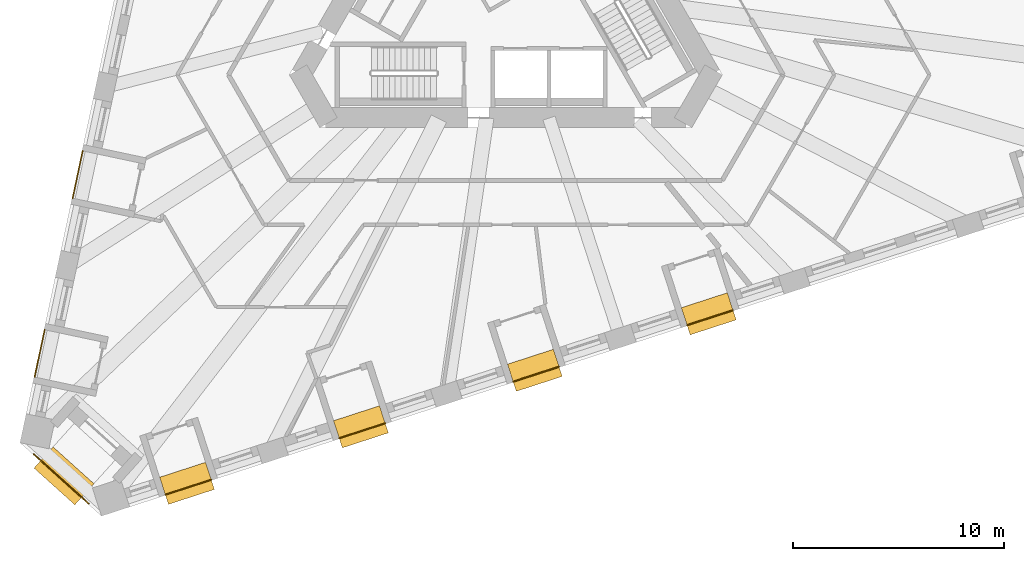
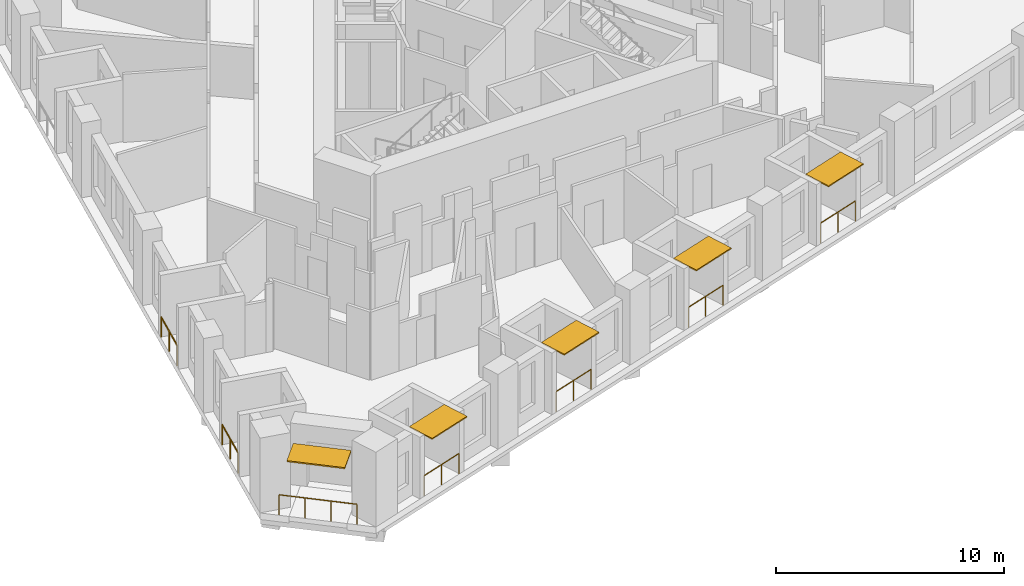
# One storey, part 11 of 13: 7 railings, 5 shading devices.
"""IFC4 building model written with IfcOpenShell, lengths in metres."""

from ifc_helpers import new_model, si_unit, direction, frame, origin, origin_2d, place, context, subcontext, project, spatial, rectangle, circle, extrude, material, layer, layer_set, type_object, element, save


model = new_model("IFC4")

# Units and contexts
model_context = context("Model", 3, precision=1e-05, world=origin(), true_north=direction((0.0, 1.0)))
body_context = subcontext(model_context, "Body", "Model", "MODEL_VIEW")
ifc_project = project(units=[si_unit("LENGTHUNIT", "METRE"), si_unit("AREAUNIT", "SQUARE_METRE"), si_unit("VOLUMEUNIT", "CUBIC_METRE"), si_unit("PLANEANGLEUNIT", "RADIAN"), si_unit("MASSUNIT", "GRAM", prefix="KILO")], contexts=[model_context])

# Site, building, storey
site_placement = place(None, origin())
site = spatial("IfcSite", under=ifc_project, at=site_placement, CompositionType="ELEMENT")
building_placement = place(site_placement, origin())
building = spatial("IfcBuilding", under=site, at=building_placement, Name="Tramontana Tower", CompositionType="ELEMENT")
storey_placement = place(building_placement, frame((0.0, 0.0, 112.39990234375)))
storey = spatial("IfcBuildingStorey", under=building, at=storey_placement, Name="L25", CompositionType="ELEMENT", Elevation=112.39990234375)

# Railings
ifc_material_1 = material(Name="Laminated glass balustrade", Category="glass")
railing_type = type_object("IfcRailingType", Name="GD1 Loggia glass balustrade 1100", PredefinedType="BALUSTRADE", material=ifc_material_1)
railing_1_placement = place(storey_placement, frame((-20.04052734375, -7.85205078125, 0.0)))
element("IfcRailing", 1, at=railing_1_placement, inside=storey, type_object=railing_type, Name="Loggia balustrade L25 G2S0.13", PredefinedType="BALUSTRADE", context=body_context, shape_type="SweptSolid", body=[
    extrude(circle(Radius=0.02392578125, at=origin_2d()), frame((0.0, 0.0, 1.076171875), z_axis=(-0.207888126836, -0.978152609116, 0.0), x_axis=(0.978152609116, -0.207888126836, 0.0)), (0.0, 0.0, 1.0), 2.28662109375),
    extrude(circle(Radius=0.02099609375, at=origin_2d()), origin(), (0.0, 0.0, 1.0), 1.052001953125),
    extrude(circle(Radius=0.02099609375, at=origin_2d()), frame((-0.23779296875, -1.1181640625, 0.0)), (0.0, 0.0, 1.0), 1.052001953125),
    extrude(circle(Radius=0.02099609375, at=origin_2d()), frame((-0.475341796875, -2.236572265625, 0.0)), (0.0, 0.0, 1.0), 1.052001953125),
])
railing_2_placement = place(storey_placement, frame((-21.841064453125, -16.322998046875, 0.0)))
element("IfcRailing", 2, at=railing_2_placement, inside=storey, type_object=railing_type, Name="Loggia balustrade L25 G2S0.16", PredefinedType="BALUSTRADE", context=body_context, shape_type="SweptSolid", body=[
    extrude(circle(Radius=0.02392578125, at=origin_2d()), frame((0.0, 0.0, 1.076171875), z_axis=(-0.207866417042, -0.978157222877, 0.0), x_axis=(0.978157222877, -0.207866417042, 0.0)), (0.0, 0.0, 1.0), 2.286865234375),
    extrude(circle(Radius=0.02099609375, at=origin_2d()), origin(), (0.0, 0.0, 1.0), 1.052001953125),
    extrude(circle(Radius=0.02099609375, at=origin_2d()), frame((-0.23779296875, -1.118408203125, 0.0)), (0.0, 0.0, 1.0), 1.052001953125),
    extrude(circle(Radius=0.02099609375, at=origin_2d()), frame((-0.475341796875, -2.23681640625, 0.0)), (0.0, 0.0, 1.0), 1.052001953125),
])
railing_3_placement = place(storey_placement, frame((-16.125244140625, -24.13427734375, 0.0)))
element("IfcRailing", 3, at=railing_3_placement, inside=storey, type_object=railing_type, Name="Loggia balustrade L25 G2S1.1", PredefinedType="BALUSTRADE", context=body_context, shape_type="SweptSolid", body=[
    extrude(circle(Radius=0.02392578125, at=origin_2d()), frame((0.0, 0.0, 1.076171875), z_axis=(0.95103720697, 0.309076416051, 0.0), x_axis=(-0.309076416051, 0.95103720697, 0.0)), (0.0, 0.0, 1.0), 2.286865234375),
    extrude(circle(Radius=0.02099609375, at=origin_2d()), origin(), (0.0, 0.0, 1.0), 1.052001953125),
    extrude(circle(Radius=0.02099609375, at=origin_2d()), frame((1.08740234375, 0.353515625, 0.0)), (0.0, 0.0, 1.0), 1.052001953125),
    extrude(circle(Radius=0.02099609375, at=origin_2d()), frame((2.1748046875, 0.706787109375, 0.0)), (0.0, 0.0, 1.0), 1.052001953125),
])
railing_4_placement = place(storey_placement, frame((-7.888916015625, -21.4580078125, 0.0)))
element("IfcRailing", 4, at=railing_4_placement, inside=storey, type_object=railing_type, Name="Loggia balustrade L25 G2S1.4", PredefinedType="BALUSTRADE", context=body_context, shape_type="SweptSolid", body=[
    extrude(circle(Radius=0.02392578125, at=origin_2d()), frame((0.0, 0.0, 1.076171875), z_axis=(0.951068585107, 0.308979847923, 0.0), x_axis=(-0.308979847923, 0.951068585107, 0.0)), (0.0, 0.0, 1.0), 2.28662109375),
    extrude(circle(Radius=0.02099609375, at=origin_2d()), origin(), (0.0, 0.0, 1.0), 1.052001953125),
    extrude(circle(Radius=0.02099609375, at=origin_2d()), frame((1.08740234375, 0.353271484375, 0.0)), (0.0, 0.0, 1.0), 1.052001953125),
    extrude(circle(Radius=0.02099609375, at=origin_2d()), frame((2.1748046875, 0.70654296875, 0.0)), (0.0, 0.0, 1.0), 1.052001953125),
])
railing_5_placement = place(storey_placement, frame((0.347412109375, -18.781982421875, 0.0)))
element("IfcRailing", 5, at=railing_5_placement, inside=storey, type_object=railing_type, Name="Loggia balustrade L25 G2S1.7", PredefinedType="BALUSTRADE", context=body_context, shape_type="SweptSolid", body=[
    extrude(circle(Radius=0.02392578125, at=origin_2d()), frame((0.0, 0.0, 1.076171875), z_axis=(0.95103720697, 0.309076416051, 0.0), x_axis=(-0.309076416051, 0.95103720697, 0.0)), (0.0, 0.0, 1.0), 2.286865234375),
    extrude(circle(Radius=0.02099609375, at=origin_2d()), origin(), (0.0, 0.0, 1.0), 1.052001953125),
    extrude(circle(Radius=0.02099609375, at=origin_2d()), frame((1.08740234375, 0.353515625, 0.0)), (0.0, 0.0, 1.0), 1.052001953125),
    extrude(circle(Radius=0.02099609375, at=origin_2d()), frame((2.1748046875, 0.706787109375, 0.0)), (0.0, 0.0, 1.0), 1.052001953125),
])
railing_6_placement = place(storey_placement, frame((8.583740234375, -16.105712890625, 0.0)))
element("IfcRailing", 6, at=railing_6_placement, inside=storey, type_object=railing_type, Name="Loggia balustrade L25 G2S1.10", PredefinedType="BALUSTRADE", context=body_context, shape_type="SweptSolid", body=[
    extrude(circle(Radius=0.02392578125, at=origin_2d()), frame((0.0, 0.0, 1.076171875), z_axis=(0.951068585107, 0.308979847923, 0.0), x_axis=(-0.308979847923, 0.951068585107, 0.0)), (0.0, 0.0, 1.0), 2.28662109375),
    extrude(circle(Radius=0.02099609375, at=origin_2d()), origin(), (0.0, 0.0, 1.0), 1.052001953125),
    extrude(circle(Radius=0.02099609375, at=origin_2d()), frame((1.08740234375, 0.353271484375, 0.0)), (0.0, 0.0, 1.0), 1.052001953125),
    extrude(circle(Radius=0.02099609375, at=origin_2d()), frame((2.1748046875, 0.70654296875, 0.0)), (0.0, 0.0, 1.0), 1.052001953125),
])
railing_7_placement = place(storey_placement, frame((-19.757080078125, -24.557861328125, 0.0)))
element("IfcRailing", 7, at=railing_7_placement, inside=storey, type_object=railing_type, Name="Corner loggia balustrade L25 K21", PredefinedType="BALUSTRADE", context=body_context, shape_type="SweptSolid", body=[
    extrude(circle(Radius=0.02392578125, at=origin_2d()), frame((0.0, 0.0, 1.076171875), z_axis=(-0.743141519559, 0.669134277936, 0.0), x_axis=(-0.669134277936, -0.743141519559, 0.0)), (0.0, 0.0, 1.0), 3.5),
    extrude(circle(Radius=0.02099609375, at=origin_2d()), origin(), (0.0, 0.0, 1.0), 1.052001953125),
    extrude(circle(Radius=0.02099609375, at=origin_2d()), frame((-0.866943359375, 0.78076171875, 0.0)), (0.0, 0.0, 1.0), 1.052001953125),
    extrude(circle(Radius=0.02099609375, at=origin_2d()), frame((-1.734130859375, 1.561279296875, 0.0)), (0.0, 0.0, 1.0), 1.052001953125),
    extrude(circle(Radius=0.02099609375, at=origin_2d()), frame((-2.60107421875, 2.342041015625, 0.0)), (0.0, 0.0, 1.0), 1.052001953125),
])

# Shading devices
ifc_material_2 = material(Name="Precast concrete 60 MPa", Category="concrete")
ifc_layer_1 = layer(ifc_material_2, 0.06005859375)
ifc_layer_set_1 = layer_set([ifc_layer_1], Name="SS1 Stone sunshade blade 60")
shading_device_type_1 = type_object("IfcShadingDeviceType", Name="SS1 Stone sunshade blade 60", PredefinedType="USERDEFINED", material=ifc_layer_set_1)
for number, where, z_axis, x_axis, name in (
    (8, (-15.09814453125, -23.595458984375, 3.239990234375), (0.0, 0.0, 1.0), (0.951056516295, 0.309016994375, 0.0), "Sunshade L25 G2S1.1"),
    (9, (-6.86181640625, -20.919189453125, 3.239990234375), (0.0, 0.0, 1.0), (0.951056516295, 0.309016994375, 0.0), "Sunshade L25 G2S1.4"),
    (10, (1.37451171875, -18.2431640625, 3.239990234375), (0.0, 0.0, 1.0), (0.951056516295, 0.309016994375, 0.0), "Sunshade L25 G2S1.7"),
    (11, (9.611083984375, -15.56689453125, 3.239990234375), (0.0, 0.0, 1.0), (0.951056516295, 0.309016994375, 0.0), "Sunshade L25 G2S1.10"),
):
    element("IfcShadingDevice", number, at=place(storey_placement, frame(where, z_axis=z_axis, x_axis=x_axis)), inside=storey, type_object=shading_device_type_1, Name=name, ObjectType="SUNSHADE", PredefinedType="USERDEFINED", context=body_context, shape_type="SweptSolid", body=[
        extrude(rectangle(XDim=2.286865234375, YDim=1.35009765625, at=origin_2d()), origin(), (0.0, 0.0, 1.0), 0.06005859375),
    ])
ifc_material_3 = material(Name="Precast concrete 60 MPa", Category="concrete")
ifc_layer_2 = layer(ifc_material_3, 0.070068359375)
ifc_layer_set_2 = layer_set([ifc_layer_2], Name="SS2 Stone sunshade blade 70")
shading_device_type_2 = type_object("IfcShadingDeviceType", Name="SS2 Stone sunshade blade 70", PredefinedType="USERDEFINED", material=ifc_layer_set_2)
shading_device_placement = place(storey_placement, frame((-20.927001953125, -23.241943359375, 3.22998046875), z_axis=(0.0, 0.0, 1.0), x_axis=(-0.743144825477, 0.669130606359, 0.0)))
element("IfcShadingDevice", 12, at=shading_device_placement, inside=storey, type_object=shading_device_type_2, Name="Corner sunshade L25 K21", ObjectType="SUNSHADE", PredefinedType="USERDEFINED", context=body_context, shape_type="SweptSolid", body=[
    extrude(rectangle(XDim=2.60009765625, YDim=1.35009765625, at=origin_2d()), origin(), (0.0, 0.0, 1.0), 0.070068359375),
])

save(model, "model.ifc")
